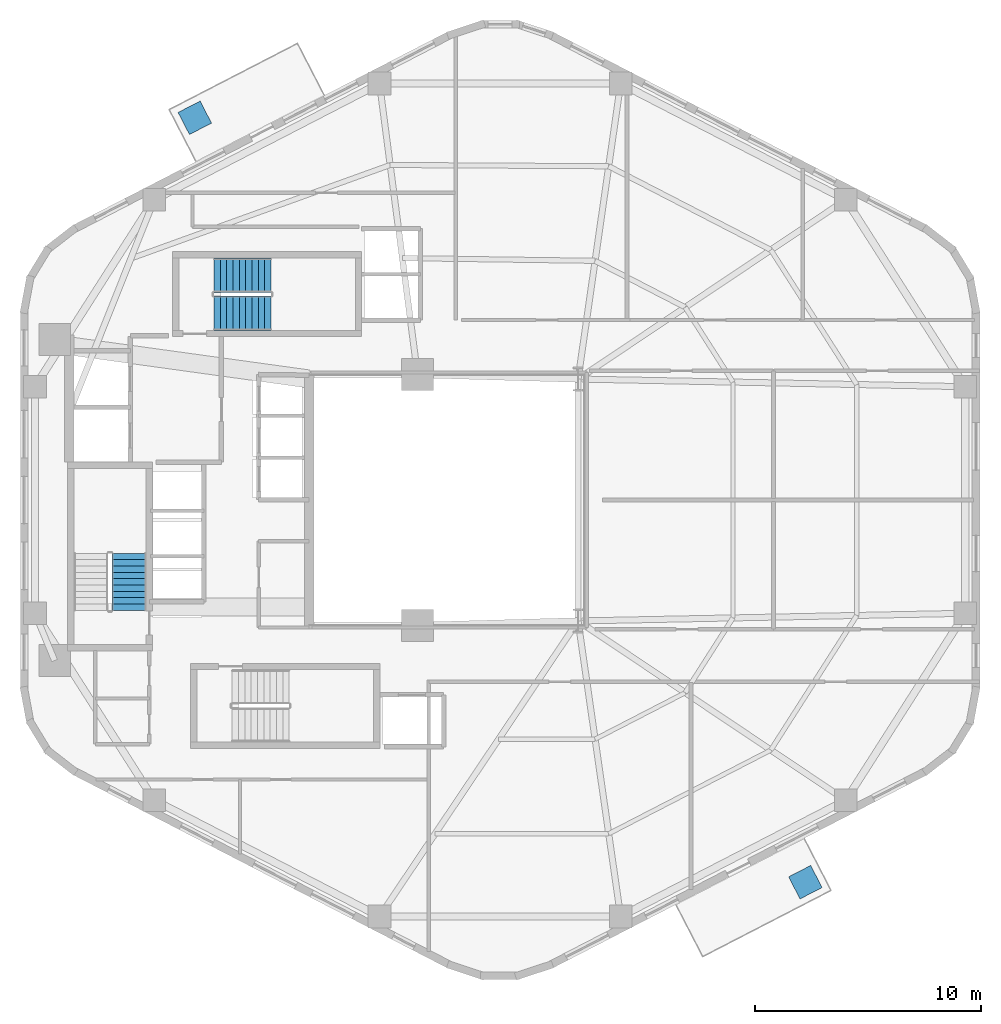
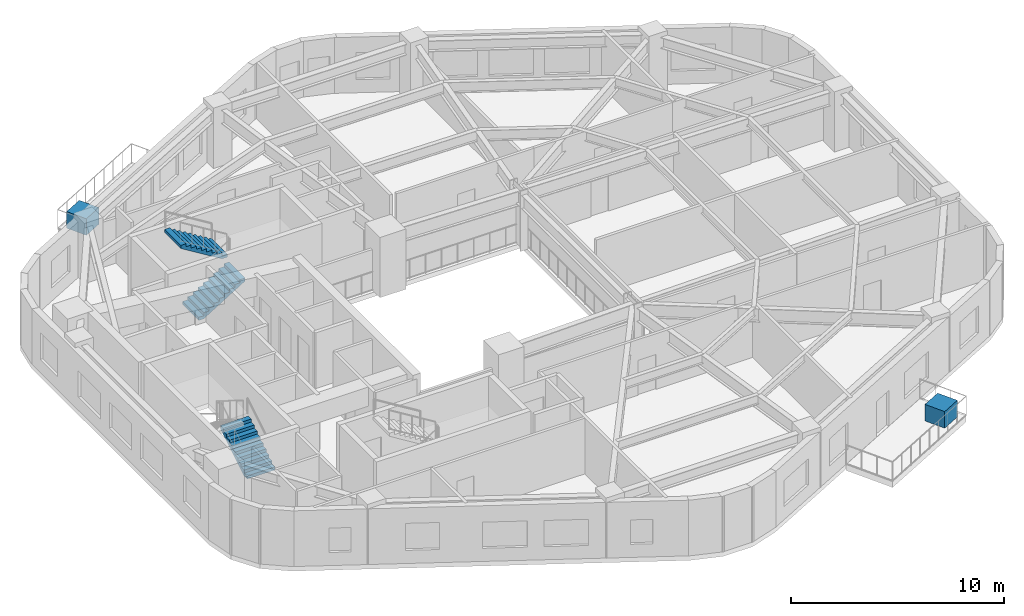
# One storey, part 6 of 8: 3 stair flights, 2 discrete accessories, 2 elements without a shape of their own.
"""IFC4 building model written with IfcOpenShell, lengths in metres."""

from ifc_helpers import new_model, si_unit, direction, frame, origin, origin_2d, place, context, subcontext, project, spatial, polyline, rectangle, outline, extrude, material, type_object, element, aggregate, save


model = new_model("IFC4")

# Units and contexts
model_context = context("Model", 3, precision=1e-05, world=origin(), true_north=direction((0.0, 1.0)))
body_context = subcontext(model_context, "Body", "Model", "MODEL_VIEW")
ifc_project = project(units=[si_unit("LENGTHUNIT", "METRE"), si_unit("AREAUNIT", "SQUARE_METRE"), si_unit("VOLUMEUNIT", "CUBIC_METRE"), si_unit("PLANEANGLEUNIT", "RADIAN"), si_unit("MASSUNIT", "GRAM", prefix="KILO"), si_unit("THERMODYNAMICTEMPERATUREUNIT", "KELVIN"), si_unit("POWERUNIT", "WATT")], contexts=[model_context])

# Site, building, storey
site_placement = place(None, origin())
site = spatial("IfcSite", under=ifc_project, at=site_placement, CompositionType="ELEMENT")
building_placement = place(site_placement, origin())
building = spatial("IfcBuilding", under=site, at=building_placement, Name="Skarre Station Tower", CompositionType="ELEMENT")
storey_placement = place(building_placement, frame((0.0, 0.0, 153.300048828125)))
storey = spatial("IfcBuildingStorey", under=building, at=storey_placement, Name="L41", CompositionType="ELEMENT", Elevation=153.300048828125)

# Stair, stair flight
ifc_material_1 = material(Name="Concrete C40/50", Category="concrete")
stair_type_1 = type_object("IfcStairType", Name="Reinforced Concrete Exit Stair ST-1", PredefinedType="HALF_TURN_STAIR", material=ifc_material_1)
stair_1_placement = place(storey_placement, origin())
stair_1 = element("IfcStair", 1, at=stair_1_placement, inside=storey, type_object=stair_type_1, Name="L41 Core Exit Stair ST-1", PredefinedType="HALF_TURN_STAIR")
stair_flight_type_1 = type_object("IfcStairFlightType", Name="Reinforced Concrete Stair Flight ST-1", PredefinedType="STRAIGHT", material=ifc_material_1)
stair_flight_1_placement = place(storey_placement, frame((19.590087890625, 19.1201171875, 0.0), z_axis=(0.0, 0.0, 1.0), x_axis=(0.0, 1.0, 0.0)))
stair_flight_1 = element("IfcStairFlight", 2, at=stair_flight_1_placement, type_object=stair_flight_type_1, Name="ST-1 flight 1", NumberOfRisers=10, NumberOfTreads=9, PredefinedType="STRAIGHT", RiserHeight=0.1725, TreadLength=0.28, context=body_context, shape_type="SweptSolid", body=[
    extrude(outline(polyline([(0.0, 0.0), (0.0, 0.172607421875), (0.280029296875, 0.172607421875), (0.280029296875, 0.344970703125), (0.56005859375, 0.344970703125), (0.56005859375, 0.517578125), (0.840087890625, 0.517578125), (0.840087890625, 0.68994140625), (1.1201171875, 0.68994140625), (1.1201171875, 0.862548828125), (1.39990234375, 0.862548828125), (1.39990234375, 1.034912109375), (1.679931640625, 1.034912109375), (1.679931640625, 1.20751953125), (1.9599609375, 1.20751953125), (1.9599609375, 1.3798828125), (2.239990234375, 1.3798828125), (2.239990234375, 1.552490234375), (2.52001953125, 1.552490234375), (2.52001953125, 1.72509765625), (2.52001953125, 1.37646484375), (0.285888671875, 0.0), (0.0, 0.0)])), frame((0.0, 0.760009765625, 0.0), z_axis=(0.0, -1.0, 0.0), x_axis=(1.0, 0.0, 0.0)), (0.0, 0.0, 1.0), 1.52001953125),
])
aggregate(stair_1, [stair_flight_1])

# Stair, stair flights
stair_type_2 = type_object("IfcStairType", Name="Reinforced Concrete Exit Stair ST-3", PredefinedType="HALF_TURN_STAIR", material=ifc_material_1)
stair_2_placement = place(storey_placement, origin())
stair_2 = element("IfcStair", 3, at=stair_2_placement, inside=storey, type_object=stair_type_2, Name="L41 Core Exit Stair ST-3", PredefinedType="HALF_TURN_STAIR")
stair_flight_type_2 = type_object("IfcStairFlightType", Name="Reinforced Concrete Stair Flight ST-3", PredefinedType="STRAIGHT", material=ifc_material_1)
stair_flight_2_placement = place(storey_placement, frame((23.35009765625, 32.260009765625, 0.0), z_axis=(0.0, 0.0, 1.0), x_axis=(1.0, 0.0, 0.0)))
stair_flight_2 = element("IfcStairFlight", 4, at=stair_flight_2_placement, type_object=stair_flight_type_2, Name="ST-3 flight 1", NumberOfRisers=10, NumberOfTreads=9, PredefinedType="STRAIGHT", RiserHeight=0.1725, TreadLength=0.28, context=body_context, shape_type="SweptSolid", body=[
    extrude(outline(polyline([(0.0, 0.0), (0.0, 0.172607421875), (0.280029296875, 0.172607421875), (0.280029296875, 0.344970703125), (0.56005859375, 0.344970703125), (0.56005859375, 0.517578125), (0.840087890625, 0.517578125), (0.840087890625, 0.68994140625), (1.1201171875, 0.68994140625), (1.1201171875, 0.862548828125), (1.39990234375, 0.862548828125), (1.39990234375, 1.034912109375), (1.679931640625, 1.034912109375), (1.679931640625, 1.20751953125), (1.9599609375, 1.20751953125), (1.9599609375, 1.3798828125), (2.239990234375, 1.3798828125), (2.239990234375, 1.552490234375), (2.52001953125, 1.552490234375), (2.52001953125, 1.72509765625), (2.52001953125, 1.37646484375), (0.285888671875, 0.0), (0.0, 0.0)])), frame((0.0, 0.760009765625, 0.0), z_axis=(0.0, -1.0, 0.0), x_axis=(1.0, 0.0, 0.0)), (0.0, 0.0, 1.0), 1.52001953125),
])
stair_flight_3_placement = place(storey_placement, frame((25.8701171875, 33.93994140625, 1.724853515625), z_axis=(0.0, 0.0, 1.0), x_axis=(-1.0, 0.0, 0.0)))
stair_flight_3 = element("IfcStairFlight", 5, at=stair_flight_3_placement, type_object=stair_flight_type_2, Name="ST-3 flight 2", NumberOfRisers=10, NumberOfTreads=9, PredefinedType="STRAIGHT", RiserHeight=0.1725, TreadLength=0.28, context=body_context, shape_type="SweptSolid", body=[
    extrude(outline(polyline([(0.0, 0.0), (0.0, 0.172607421875), (0.280029296875, 0.172607421875), (0.280029296875, 0.344970703125), (0.56005859375, 0.344970703125), (0.56005859375, 0.517578125), (0.840087890625, 0.517578125), (0.840087890625, 0.68994140625), (1.1201171875, 0.68994140625), (1.1201171875, 0.862548828125), (1.39990234375, 0.862548828125), (1.39990234375, 1.034912109375), (1.679931640625, 1.034912109375), (1.679931640625, 1.20751953125), (1.9599609375, 1.20751953125), (1.9599609375, 1.3798828125), (2.239990234375, 1.3798828125), (2.239990234375, 1.552490234375), (2.52001953125, 1.552490234375), (2.52001953125, 1.72509765625), (2.52001953125, 1.37646484375), (0.285888671875, 0.0), (0.0, 0.0)])), frame((0.0, 0.760009765625, 0.0), z_axis=(0.0, -1.0, 0.0), x_axis=(1.0, 0.0, 0.0)), (0.0, 0.0, 1.0), 1.52001953125),
])
aggregate(stair_2, [stair_flight_2, stair_flight_3])

# Discrete accessories
ifc_material_2 = material(Name="Precast concrete C45/55", Category="concrete")
discrete_accessory_type = type_object("IfcDiscreteAccessoryType", Name="Insulated Precast Tree Planter Trough 1100x1100x950", PredefinedType="USERDEFINED", material=ifc_material_2)
for number, where, z_axis, x_axis, name in (
    (6, (22.5, 40.902099609375, 0.0), (0.0, 0.0, 1.0), (-0.458649554484, 0.888617232655, 0.0), "L41 TB-L41-F1 Insulated Precast Tree Planter Trough"),
    (7, (49.5, 7.097900390625, 0.0), (0.0, 0.0, 1.0), (0.458649554484, -0.888617232655, 0.0), "L41 TB-L41-F4 Insulated Precast Tree Planter Trough"),
):
    element("IfcDiscreteAccessory", number, at=place(storey_placement, frame(where, z_axis=z_axis, x_axis=x_axis)), inside=storey, type_object=discrete_accessory_type, Name=name, ObjectType="PLANTER", PredefinedType="USERDEFINED", context=body_context, shape_type="SweptSolid", body=[
        extrude(rectangle(XDim=1.10009765625, YDim=1.10009765625, at=origin_2d()), origin(), (0.0, 0.0, 1.0), 0.949951171875),
    ])

save(model, "model.ifc")
